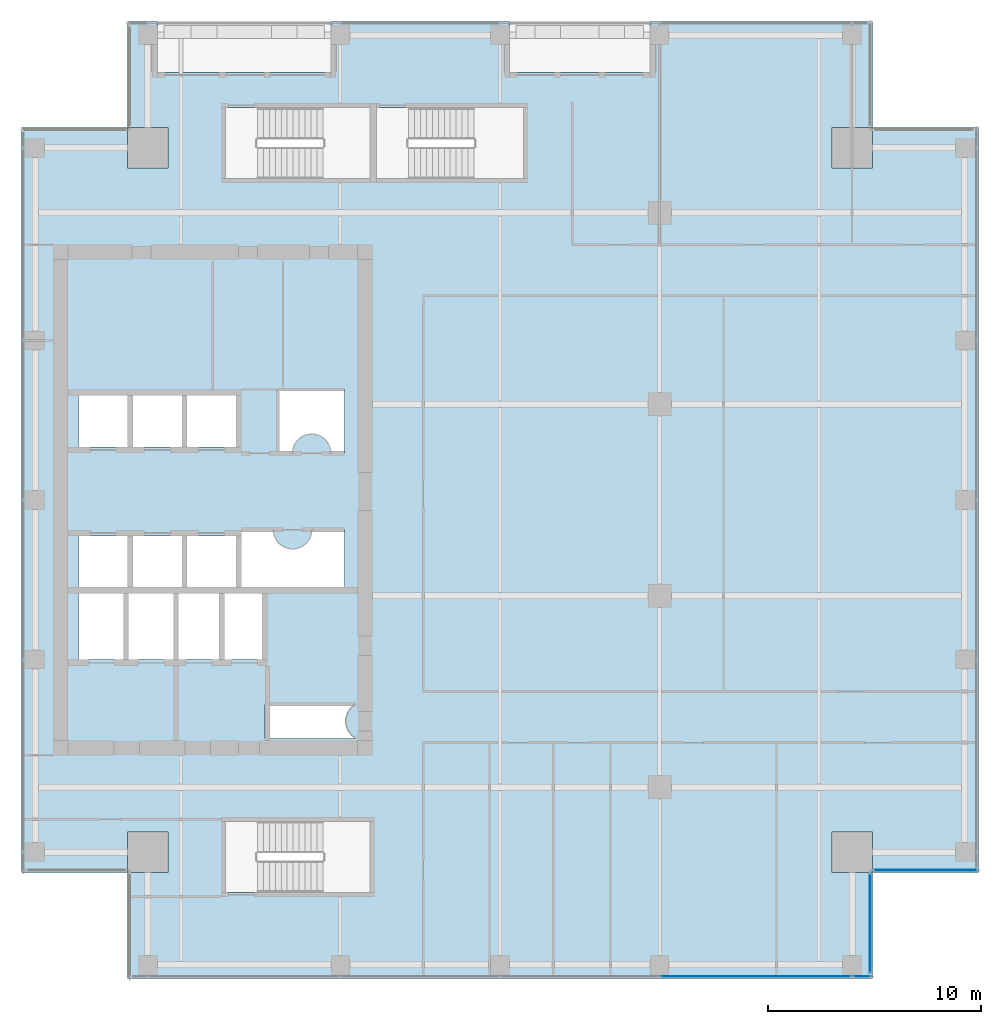
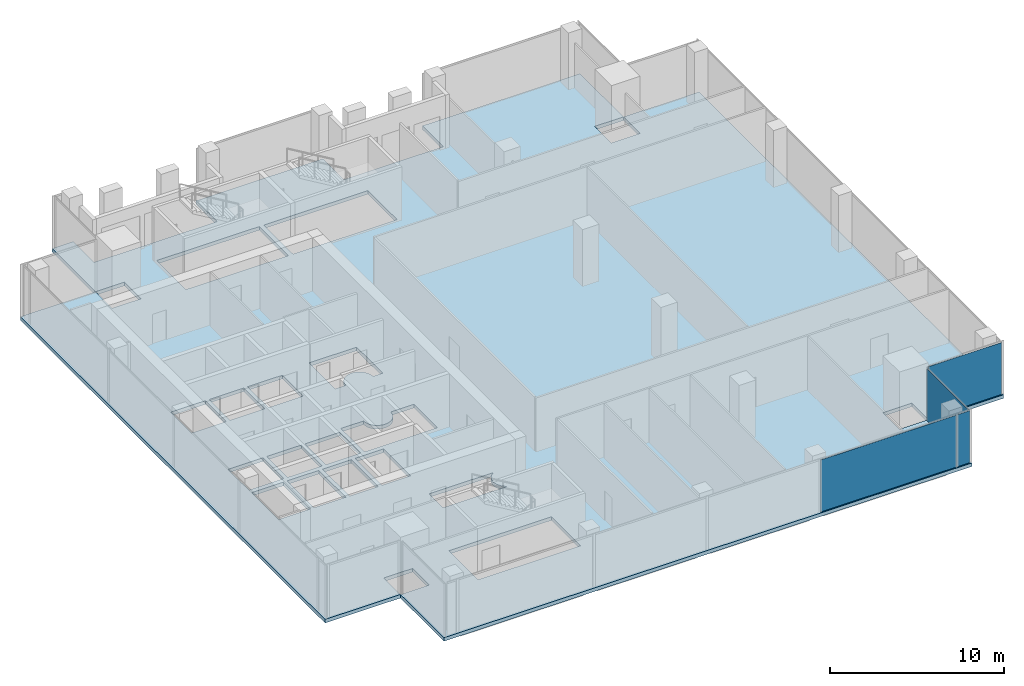
# One storey, part 26 of 35: 4 plates, 1 slab, 3 elements without a shape of their own.
"""IFC4 building model written with IfcOpenShell, lengths in metres."""

from ifc_helpers import new_model, si_unit, direction, frame, origin, origin_2d, place, context, subcontext, project, spatial, polyline, rectangle, outline, extrude, source, transform, mapped, material, layer, layer_set, type_object, element, aggregate, save


model = new_model("IFC4")

# Units and contexts
model_context = context("Model", 3, precision=1e-05, world=origin(), true_north=direction((0.0, 1.0)))
body_context = subcontext(model_context, "Body", "Model", "MODEL_VIEW")
ifc_project = project(units=[si_unit("LENGTHUNIT", "METRE"), si_unit("AREAUNIT", "SQUARE_METRE"), si_unit("VOLUMEUNIT", "CUBIC_METRE"), si_unit("PLANEANGLEUNIT", "RADIAN"), si_unit("MASSUNIT", "GRAM", prefix="KILO")], contexts=[model_context])

# Site, building, storey
site_placement = place(None, origin())
site = spatial("IfcSite", under=ifc_project, at=site_placement, CompositionType="ELEMENT")
building_placement = place(site_placement, origin())
building = spatial("IfcBuilding", under=site, at=building_placement, Name="Khomas Fold Tower", CompositionType="ELEMENT")
storey_placement = place(building_placement, frame((0.0, 0.0, 270.199951171875)))
storey = spatial("IfcBuildingStorey", under=building, at=storey_placement, Name="L61", CompositionType="ELEMENT", Elevation=270.199951171875)

# Slab
ifc_material_1 = material(Name="Concrete C40/50", Category="concrete")
ifc_layer_1 = layer(ifc_material_1, 0.25)
ifc_layer_set_1 = layer_set([ifc_layer_1], Name="Concrete C40/50")
slab_type = type_object("IfcSlabType", Name="RC floor slab 250", PredefinedType="FLOOR", material=ifc_layer_set_1)
shared_shape_1 = source(origin(), body_context, "Body", "SweptSolid", [
    extrude(outline(polyline([(4.5, 9.5), (9.4951171875, 9.5), (9.4951171875, 11.405029296875), (11.405029296875, 11.405029296875), (11.405029296875, 9.4951171875), (9.5, 9.4951171875), (9.5, 4.5), (44.5, 4.5), (44.5, 9.4951171875), (42.594970703125, 9.4951171875), (42.594970703125, 11.405029296875), (44.5048828125, 11.405029296875), (44.5048828125, 9.5), (49.5, 9.5), (49.5, 44.5), (44.5048828125, 44.5), (44.5048828125, 42.594970703125), (42.594970703125, 42.594970703125), (42.594970703125, 44.5048828125), (44.5, 44.5048828125), (44.5, 49.5), (34.050048828125, 49.5), (34.050048828125, 47.10009765625), (27.449951171875, 47.10009765625), (27.449951171875, 49.5), (19.050048828125, 49.5), (19.050048828125, 47.10009765625), (10.89990234375, 47.10009765625), (10.89990234375, 49.5), (9.5, 49.5), (9.5, 44.5048828125), (11.405029296875, 44.5048828125), (11.405029296875, 42.594970703125), (9.4951171875, 42.594970703125), (9.4951171875, 44.5), (4.5, 44.5), (4.5, 9.5)]), holes=[polyline([(7.199951171875, 19.5), (7.199951171875, 22.60009765625), (9.300048828125, 22.60009765625), (9.300048828125, 19.5), (7.199951171875, 19.5)]), polyline([(7.199951171875, 22.89990234375), (7.199951171875, 25.300048828125), (9.5, 25.300048828125), (9.5, 22.89990234375), (7.199951171875, 22.89990234375)]), polyline([(7.199951171875, 29.5), (7.199951171875, 31.89990234375), (9.5, 31.89990234375), (9.5, 29.5), (7.199951171875, 29.5)]), polyline([(9.550048828125, 19.5), (9.550048828125, 22.60009765625), (11.64990234375, 22.60009765625), (11.64990234375, 19.5), (9.550048828125, 19.5)]), polyline([(9.75, 22.89990234375), (9.75, 25.300048828125), (12.050048828125, 25.300048828125), (12.050048828125, 22.89990234375), (9.75, 22.89990234375)]), polyline([(9.75, 29.5), (9.75, 31.89990234375), (12.050048828125, 31.89990234375), (12.050048828125, 29.5), (9.75, 29.5)]), polyline([(11.89990234375, 19.5), (11.89990234375, 22.60009765625), (13.800048828125, 22.60009765625), (13.800048828125, 19.5), (11.89990234375, 19.5)]), polyline([(12.300048828125, 22.89990234375), (12.300048828125, 25.300048828125), (14.60009765625, 25.300048828125), (14.60009765625, 22.89990234375), (12.300048828125, 22.89990234375)]), polyline([(12.300048828125, 29.5), (12.300048828125, 31.89990234375), (14.60009765625, 31.89990234375), (14.60009765625, 29.5), (12.300048828125, 29.5)]), polyline([(14.050048828125, 19.5), (14.050048828125, 22.60009765625), (15.949951171875, 22.60009765625), (15.949951171875, 19.5), (14.050048828125, 19.5)]), polyline([(14.10009765625, 8.550048828125), (14.10009765625, 11.89990234375), (20.89990234375, 11.89990234375), (20.89990234375, 8.550048828125), (14.10009765625, 8.550048828125)]), polyline([(14.10009765625, 42.10009765625), (14.10009765625, 45.449951171875), (20.89990234375, 45.449951171875), (20.89990234375, 42.10009765625), (14.10009765625, 42.10009765625)]), polyline([(14.85009765625, 22.89990234375), (14.85009765625, 25.60009765625), (16.35009765625, 25.60009765625), (16.354248046875, 25.51171875), (16.3671875, 25.42431640625), (16.388916015625, 25.338623046875), (16.41845703125, 25.255615234375), (16.456298828125, 25.17578125), (16.501708984375, 25.10009765625), (16.55419921875, 25.029052734375), (16.613525390625, 24.963623046875), (16.678955078125, 24.904296875), (16.75, 24.851806640625), (16.82568359375, 24.806396484375), (16.905517578125, 24.7685546875), (16.98876953125, 24.73876953125), (17.074462890625, 24.71728515625), (17.161865234375, 24.704345703125), (17.25, 24.699951171875), (17.338134765625, 24.704345703125), (17.425537109375, 24.71728515625), (17.51123046875, 24.73876953125), (17.594482421875, 24.7685546875), (17.67431640625, 24.806396484375), (17.75, 24.851806640625), (17.821044921875, 24.904296875), (17.886474609375, 24.963623046875), (17.94580078125, 25.029052734375), (17.998291015625, 25.10009765625), (18.043701171875, 25.17578125), (18.08154296875, 25.255615234375), (18.111083984375, 25.338623046875), (18.1328125, 25.42431640625), (18.145751953125, 25.51171875), (18.14990234375, 25.60009765625), (19.699951171875, 25.60009765625), (19.699951171875, 22.89990234375), (14.85009765625, 22.89990234375)]), polyline([(15.949951171875, 15.800048828125), (15.949951171875, 17.39990234375), (20.199951171875, 17.39990234375), (20.199951171875, 17.37841796875), (20.14990234375, 17.348388671875), (20.0791015625, 17.295654296875), (20.013671875, 17.236328125), (19.954345703125, 17.1708984375), (19.901611328125, 17.10009765625), (19.856201171875, 17.0244140625), (19.818603515625, 16.9443359375), (19.788818359375, 16.861328125), (19.767333984375, 16.775634765625), (19.75439453125, 16.688232421875), (19.75, 16.60009765625), (19.75439453125, 16.51171875), (19.767333984375, 16.42431640625), (19.788818359375, 16.338623046875), (19.818603515625, 16.255615234375), (19.856201171875, 16.17578125), (19.901611328125, 16.10009765625), (19.954345703125, 16.029052734375), (20.013671875, 15.963623046875), (20.0791015625, 15.904296875), (20.14990234375, 15.851806640625), (20.199951171875, 15.82177734375), (20.199951171875, 15.800048828125), (15.949951171875, 15.800048828125)]), polyline([(16.550048828125, 29.199951171875), (16.550048828125, 32.199951171875), (19.699951171875, 32.199951171875), (19.699951171875, 29.199951171875), (19.050048828125, 29.199951171875), (19.045654296875, 29.2880859375), (19.03271484375, 29.37548828125), (19.01123046875, 29.461181640625), (18.9814453125, 29.54443359375), (18.943603515625, 29.624267578125), (18.898193359375, 29.699951171875), (18.845703125, 29.77099609375), (18.786376953125, 29.83642578125), (18.720947265625, 29.895751953125), (18.64990234375, 29.9482421875), (18.57421875, 29.99365234375), (18.494384765625, 30.031494140625), (18.411376953125, 30.061279296875), (18.32568359375, 30.082763671875), (18.23828125, 30.095703125), (18.14990234375, 30.10009765625), (18.061767578125, 30.095703125), (17.974365234375, 30.082763671875), (17.888671875, 30.061279296875), (17.8056640625, 30.031494140625), (17.7255859375, 29.99365234375), (17.64990234375, 29.9482421875), (17.5791015625, 29.895751953125), (17.513671875, 29.83642578125), (17.454345703125, 29.77099609375), (17.401611328125, 29.699951171875), (17.356201171875, 29.624267578125), (17.318603515625, 29.54443359375), (17.288818359375, 29.461181640625), (17.267333984375, 29.37548828125), (17.25439453125, 29.2880859375), (17.25, 29.199951171875), (16.550048828125, 29.199951171875)]), polyline([(21.199951171875, 42.10009765625), (21.199951171875, 45.449951171875), (28.10009765625, 45.449951171875), (28.10009765625, 42.10009765625), (21.199951171875, 42.10009765625)])]), origin(), (0.0, 0.0, 1.0), 0.25),
])
slab_placement = place(storey_placement, frame((0.0, 0.0, -0.25)))
element("IfcSlab", 1, at=slab_placement, inside=storey, type_object=slab_type, Name="S-L61", PredefinedType="FLOOR", context=body_context, shape_type="MappedRepresentation", body=[
    mapped(shared_shape_1, transform((0.0, 0.0, 0.0))),
])

# Curtain wall, plates
ifc_material_2 = material(Name="Aluminium framed double glazing", Category="aluminium")
curtain_wall_type = type_object("IfcCurtainWallType", Name="SK-Unitised clear-glass wall, office floors CW2", PredefinedType="NOTDEFINED", material=ifc_material_2)
curtain_wall_1_placement = place(storey_placement, origin())
curtain_wall_1 = element("IfcCurtainWall", 2, at=curtain_wall_1_placement, inside=storey, type_object=curtain_wall_type, Name="CW2 run L61 00-0", PredefinedType="NOTDEFINED")
ifc_material_3 = material(Name="Clear double glazed unit")
ifc_layer_2 = layer(ifc_material_3, 0.030029296875)
ifc_layer_set_2 = layer_set([ifc_layer_2], Name="Clear double glazed unit")
plate_type = type_object("IfcPlateType", Name="SK-Unitised clear-glass wall, office floors glass panel CW2-P", PredefinedType="CURTAIN_PANEL", material=ifc_layer_set_2)
shared_shape_2 = source(origin(), body_context, "Body", "SweptSolid", [
    extrude(rectangle(XDim=0.860107421875, YDim=0.030029296875, at=origin_2d()), origin(), (0.0, 0.0, 1.0), 3.639892578125),
])
plate_1_placement = place(storey_placement, frame((44.010009765625, 4.60009765625, 0.0), z_axis=(0.0, 0.0, 1.0), x_axis=(1.0, 0.0, 0.0)))
plate_1 = element("IfcPlate", 3, at=plate_1_placement, type_object=plate_type, Name="CW2 glass panel 6", PredefinedType="CURTAIN_PANEL", context=body_context, shape_type="MappedRepresentation", body=[
    mapped(shared_shape_2, transform((0.0, 0.0, 0.0))),
])
shared_shape_3 = source(origin(), body_context, "Body", "SweptSolid", [
    extrude(rectangle(XDim=8.989990234375, YDim=0.030029296875, at=origin_2d()), origin(), (0.0, 0.0, 1.0), 3.639892578125),
])
plate_2_placement = place(storey_placement, frame((39.02490234375, 4.60009765625, 0.0), z_axis=(0.0, 0.0, 1.0), x_axis=(1.0, 0.0, 0.0)))
plate_2 = element("IfcPlate", 4, at=plate_2_placement, type_object=plate_type, Name="CW2 glass panel 5", PredefinedType="CURTAIN_PANEL", context=body_context, shape_type="MappedRepresentation", body=[
    mapped(shared_shape_3, transform((0.0, 0.0, 0.0))),
])
aggregate(curtain_wall_1, [plate_2, plate_1])

# Curtain wall, plate
curtain_wall_2_placement = place(storey_placement, origin())
curtain_wall_2 = element("IfcCurtainWall", 5, at=curtain_wall_2_placement, inside=storey, type_object=curtain_wall_type, Name="CW2 corner return L61 01", PredefinedType="NOTDEFINED")
shared_shape_4 = source(origin(), body_context, "Body", "SweptSolid", [
    extrude(rectangle(XDim=4.679931640625, YDim=0.030029296875, at=origin_2d()), origin(), (0.0, 0.0, 1.0), 3.639892578125),
])
plate_3_placement = place(storey_placement, frame((44.39990234375, 7.10009765625, 0.0), z_axis=(0.0, 0.0, 1.0), x_axis=(0.0, 1.0, 0.0)))
plate_3 = element("IfcPlate", 6, at=plate_3_placement, type_object=plate_type, Name="CW2 glass panel 1", PredefinedType="CURTAIN_PANEL", context=body_context, shape_type="MappedRepresentation", body=[
    mapped(shared_shape_4, transform((0.0, 0.0, 0.0))),
])
aggregate(curtain_wall_2, [plate_3])

curtain_wall_3_placement = place(storey_placement, origin())
curtain_wall_3 = element("IfcCurtainWall", 7, at=curtain_wall_3_placement, inside=storey, type_object=curtain_wall_type, Name="CW2 corner return L61 02", PredefinedType="NOTDEFINED")
shared_shape_5 = source(origin(), body_context, "Body", "SweptSolid", [
    extrude(rectangle(XDim=4.8798828125, YDim=0.030029296875, at=origin_2d()), origin(), (0.0, 0.0, 1.0), 3.639892578125),
])
plate_4_placement = place(storey_placement, frame((47.0, 9.60009765625, 0.0), z_axis=(0.0, 0.0, 1.0), x_axis=(1.0, 0.0, 0.0)))
plate_4 = element("IfcPlate", 8, at=plate_4_placement, type_object=plate_type, Name="CW2 glass panel 1", PredefinedType="CURTAIN_PANEL", context=body_context, shape_type="MappedRepresentation", body=[
    mapped(shared_shape_5, transform((0.0, 0.0, 0.0))),
])
aggregate(curtain_wall_3, [plate_4])

save(model, "model.ifc")
